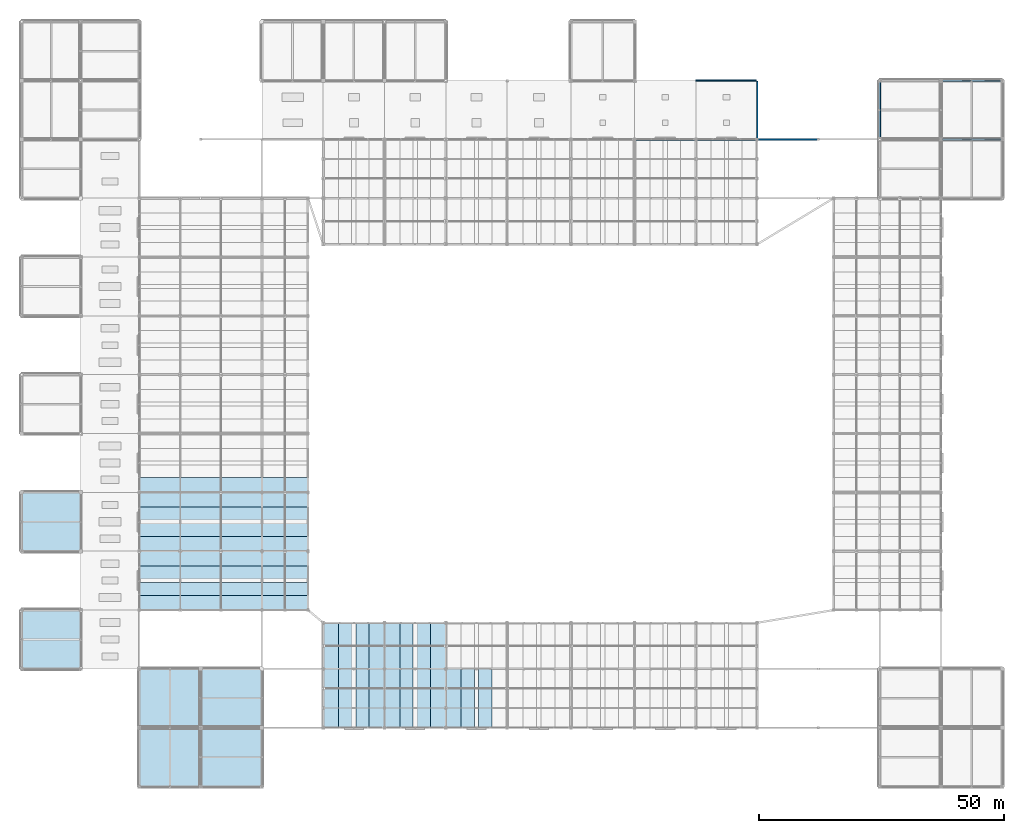
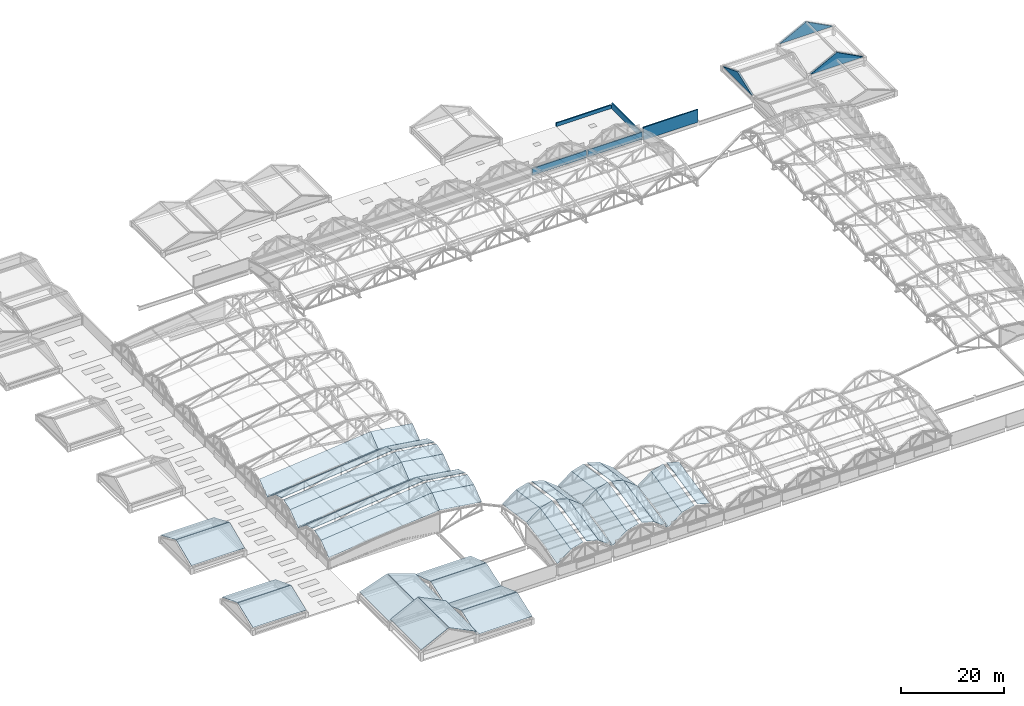
# One storey, part 110 of 117: 49 roofs, 8 walls.
"""IFC4 building model written with IfcOpenShell, lengths in metres."""

from ifc_helpers import new_model, si_unit, direction, frame, frame_2d, origin, place, context, subcontext, project, spatial, polyline, rectangle, outline, extrude, material, layer, layer_set, type_object, element, save


model = new_model("IFC4")

# Units and contexts
model_context = context("Model", 3, precision=1e-05, world=origin(), true_north=direction((0.0, 1.0)))
body_context = subcontext(model_context, "Body", "Model", "MODEL_VIEW")
ifc_project = project(units=[si_unit("LENGTHUNIT", "METRE"), si_unit("AREAUNIT", "SQUARE_METRE"), si_unit("VOLUMEUNIT", "CUBIC_METRE"), si_unit("PLANEANGLEUNIT", "RADIAN"), si_unit("MASSUNIT", "GRAM", prefix="KILO")], contexts=[model_context])

# Site, building, storey
site_placement = place(None, origin())
site = spatial("IfcSite", under=ifc_project, at=site_placement, CompositionType="ELEMENT")
building_placement = place(site_placement, origin())
building = spatial("IfcBuilding", under=site, at=building_placement, Name="Kazenohara Klinker Stadium", CompositionType="ELEMENT")
storey_placement = place(building_placement, frame((0.0, 0.0, 31.199951171875)))
storey = spatial("IfcBuildingStorey", under=building, at=storey_placement, Name="RF", CompositionType="ELEMENT", Elevation=31.199951171875)

# Walls
ifc_material_1 = material(Name="Clinker brick masonry", Category="masonry")
ifc_layer_1 = layer(ifc_material_1, 0.280029296875)
ifc_layer_set_1 = layer_set([ifc_layer_1], Name="Clinker brick masonry")
wall_type_1 = type_object("IfcWallType", Name="WAL-EXT-CB280", PredefinedType="SOLIDWALL", material=ifc_layer_set_1)
for number, where, z_axis, x_axis, name in (
    (1, (125.154052734375, 144.0, 0.0), (0.0, 0.0, 1.0), (1.0, 0.0, 0.0), "Perforated clinker-brick canopy screen spandrel EW06 N-06"),
    (2, (137.654052734375, 144.0, 0.0), (0.0, 0.0, 1.0), (1.0, 0.0, 0.0), "Perforated clinker-brick canopy screen spandrel EW06 N-07"),
):
    element("IfcWall", number, at=place(storey_placement, frame(where, z_axis=z_axis, x_axis=x_axis)), inside=storey, type_object=wall_type_1, Name=name, PredefinedType="SOLIDWALL", context=body_context, shape_type="SweptSolid", body=[
        extrude(rectangle(XDim=12.19189453125, YDim=0.280029296875, at=frame_2d((6.095947265625, 0.0))), origin(), (0.0, 0.0, 1.0), 1.650146484375),
    ])
wall_1_placement = place(storey_placement, frame((150.154052734375, 144.0, -0.369873046875), z_axis=(0.0, 0.0, 1.0), x_axis=(1.0, 0.0, 0.0)))
element("IfcWall", 3, at=wall_1_placement, inside=storey, type_object=wall_type_1, Name="Clinker-brick canopy ring link spandrel EW06 N-12", PredefinedType="SOLIDWALL", context=body_context, shape_type="SweptSolid", body=[
    extrude(rectangle(XDim=12.342041015625, YDim=0.280029296875, at=frame_2d((6.1708984375, 0.0))), origin(), (0.0, 0.0, 1.0), 3.02001953125),
])
ifc_layer_2 = layer(ifc_material_1, 0.260009765625)
ifc_layer_set_2 = layer_set([ifc_layer_2], Name="Clinker brick masonry")
wall_type_2 = type_object("IfcWallType", Name="WAL-PAR-260", PredefinedType="PARAPET", material=ifc_layer_set_2)
wall_2_placement = place(storey_placement, frame((150.0, 144.14794921875, 0.0), z_axis=(0.0, 0.0, 1.0), x_axis=(0.0, 1.0, 0.0)))
element("IfcWall", 4, at=wall_2_placement, inside=storey, type_object=wall_type_2, Name="Clinker brick roof coping parapet PW02 Y12-12", PredefinedType="PARAPET", context=body_context, shape_type="SweptSolid", body=[
    extrude(rectangle(XDim=11.7041015625, YDim=0.260009765625, at=frame_2d((5.85205078125, 0.0))), origin(), (0.0, 0.0, 1.0), 1.35009765625),
])
ifc_layer_3 = layer(ifc_material_1, 0.2900390625)
ifc_layer_set_3 = layer_set([ifc_layer_3], Name="Clinker brick masonry")
wall_type_3 = type_object("IfcWallType", Name="WAL-PAR-290", PredefinedType="PARAPET", material=ifc_layer_set_3)
wall_3_placement = place(storey_placement, frame((137.50390625, 156.0, 0.0), z_axis=(0.0, 0.0, 1.0), x_axis=(1.0, 0.0, 0.0)))
element("IfcWall", 5, at=wall_3_placement, inside=storey, type_object=wall_type_3, Name="Clinker brick roof coping parapet PW01 X11-13", PredefinedType="PARAPET", context=body_context, shape_type="SweptSolid", body=[
    extrude(rectangle(XDim=12.34814453125, YDim=0.2900390625, at=frame_2d((6.174072265625, 0.0))), origin(), (0.0, 0.0, 1.0), 0.85009765625),
])
ifc_layer_4 = layer(ifc_material_1, 0.360107421875)
ifc_layer_set_4 = layer_set([ifc_layer_4], Name="Clinker brick masonry")
wall_type_4 = type_object("IfcWallType", Name="WAL-PAR-CRN360", PredefinedType="PARAPET", material=ifc_layer_set_4)
for number, where, z_axis, x_axis, name in (
    (6, (187.85009765625, 144.0, 2.14013671875), (0.0, 0.0, 1.0), (1.0, 0.0, 0.0), "Amsterdam School stepped klinker gable PW03 GT3-NE-S"),
    (7, (187.85009765625, 156.0, 2.14013671875), (0.0, 0.0, 1.0), (1.0, 0.0, 0.0), "Amsterdam School stepped klinker gable PW03 GT3-NE-N"),
):
    element("IfcWall", number, at=place(storey_placement, frame(where, z_axis=z_axis, x_axis=x_axis)), inside=storey, type_object=wall_type_4, Name=name, PredefinedType="PARAPET", context=body_context, shape_type="SweptSolid", body=[
        extrude(outline(polyline([(0.0, 0.0), (11.7998046875, 0.0), (11.699951171875, 0.079833984375), (5.85009765625, 3.159912109375), (0.0, 0.079833984375), (0.0, 0.0)])), frame((0.0, 0.18017578125, 0.0), z_axis=(0.0, -1.0, 0.0), x_axis=(1.0, 0.0, 0.0)), (0.0, 0.0, 1.0), 0.360107421875),
    ])
wall_4_placement = place(storey_placement, frame((175.0, 144.35009765625, 1.340087890625), z_axis=(0.0, 0.0, 1.0), x_axis=(0.0, 1.0, 0.0)))
element("IfcWall", 8, at=wall_4_placement, inside=storey, type_object=wall_type_4, Name="Amsterdam School stepped klinker gable PW03 GT3-NW-W", PredefinedType="PARAPET", context=body_context, shape_type="SweptSolid", body=[
    extrude(outline(polyline([(0.0, 0.0), (11.2998046875, 0.0), (11.199951171875, 0.080078125), (5.60009765625, 2.260009765625), (0.0, 0.080078125), (0.0, 0.0)])), frame((0.0, 0.18017578125, 0.0), z_axis=(0.0, -1.0, 0.0), x_axis=(1.0, 0.0, 0.0)), (0.0, 0.0, 1.0), 0.360107421875),
])

# Roofs
ifc_material_2 = material(Name="Patina copper standing seam roofing", Category="metal")
ifc_layer_5 = layer(ifc_material_2, 0.080078125)
ifc_layer_set_5 = layer_set([ifc_layer_5], Name="Patina copper standing seam roofing")
roof_type = type_object("IfcRoofType", Name="ROOF-BARREL-01", PredefinedType="BARREL_ROOF", material=ifc_layer_set_5)
roof_1_placement = place(storey_placement, frame((49.0, 48.06005859375, 5.14794921875), z_axis=(0.1114348372, -0.620820003285, 0.775992783845), x_axis=(0.989845879347, 0.0, -0.142144768244)))
element("IfcRoof", 9, at=roof_1_placement, inside=storey, type_object=roof_type, Name="Scalloped copper barrel-arch roof shell W-01 inner strip 1", PredefinedType="BARREL_ROOF", context=body_context, shape_type="SweptSolid", body=[
    extrude(outline(polyline([(0.0, 0.0), (9.496329216369972, -1.1102230246251565e-16), (9.16199750317222, 3.750149417731541), (-0.3343317131977522, 3.7501494177315413), (0.0, 0.0)])), origin(), (0.0, 0.0, -1.0), 0.080078125),
])
roof_2_placement = place(storey_placement, frame((24.0, 48.06005859375, 2.59814453125), z_axis=(-0.079395226247, -0.62271907893, 0.778406928788), x_axis=(0.994838726822, -2.354625e-06, 0.101468751889)))
element("IfcRoof", 10, at=roof_2_placement, inside=storey, type_object=roof_type, Name="Scalloped copper barrel-arch roof shell W-01 outer strip 1", PredefinedType="BARREL_ROOF", context=body_context, shape_type="SweptSolid", body=[
    extrude(outline(polyline([(0.0, 0.0), (25.129693669747912, 0.0), (25.368346404441525, 3.7574516913669496), (0.2386279620491107, 3.7573004449698315), (0.0, 0.0)])), origin(), (0.0, 0.0, -1.0), 0.080078125),
])
roof_3_placement = place(storey_placement, frame((49.0, 51.0, 7.5), z_axis=(0.136061259308, -0.289700944037, 0.947396800047), x_axis=(0.989844222428, 3.528061e-06, -0.142156305924)))
element("IfcRoof", 11, at=roof_3_placement, inside=storey, type_object=roof_type, Name="Scalloped copper barrel-arch roof shell W-01 inner strip 2", PredefinedType="BARREL_ROOF", context=body_context, shape_type="SweptSolid", body=[
    extrude(outline(polyline([(0.0, 0.0), (9.496329215665769, -1.1102230246251565e-16), (9.382641165120983, 2.733138275735066), (-0.11372275667416151, 2.7332082853263064), (0.0, 0.0)])), origin(), (0.0, 0.0, -1.0), 0.080078125),
])
roof_4_placement = place(storey_placement, frame((24.0, 51.0, 4.949951171875), z_axis=(-0.097081417551, -0.291079679099, 0.951760378867), x_axis=(0.994838046303, 0.0, 0.101475423766)))
element("IfcRoof", 12, at=roof_4_placement, inside=storey, type_object=roof_type, Name="Scalloped copper barrel-arch roof shell W-01 outer strip 2", PredefinedType="BARREL_ROOF", context=body_context, shape_type="SweptSolid", body=[
    extrude(outline(polyline([(0.0, 0.0), (25.129718443027205, 0.0), (25.210903736894636, 2.734368182559966), (0.08118529386742987, 2.7343681825599666), (0.0, 0.0)])), origin(), (0.0, 0.0, -1.0), 0.080078125),
])
roof_5_placement = place(storey_placement, frame((49.0, 54.384033203125, 8.300048828125), z_axis=(0.136061259308, 0.289700944037, 0.947396800047), x_axis=(0.989843918815, 3.528048e-06, -0.142158419982)))
element("IfcRoof", 13, at=roof_5_placement, inside=storey, type_object=roof_type, Name="Scalloped copper barrel-arch roof shell W-01 inner strip 3", PredefinedType="BARREL_ROOF", context=body_context, shape_type="SweptSolid", body=[
    extrude(outline(polyline([(0.0, 0.0), (9.49636392205321, 0.0), (9.61007212197998, 2.733137437523795), (0.11374290657227543, 2.733207446859171), (0.0, 0.0)])), origin(), (0.0, 0.0, -1.0), 0.080078125),
])
roof_6_placement = place(storey_placement, frame((24.0, 54.384033203125, 5.75), z_axis=(-0.097081417551, 0.291079679099, 0.951760378867), x_axis=(0.994838046303, 0.0, 0.101475423766)))
element("IfcRoof", 14, at=roof_6_placement, inside=storey, type_object=roof_type, Name="Scalloped copper barrel-arch roof shell W-01 outer strip 3", PredefinedType="BARREL_ROOF", context=body_context, shape_type="SweptSolid", body=[
    extrude(outline(polyline([(0.0, 0.0), (25.129718443027205, 0.0), (25.048533149159773, 2.7343681825599666), (-0.08118529386742987, 2.7343681825599666), (0.0, 0.0)])), origin(), (0.0, 0.0, -1.0), 0.080078125),
])
roof_7_placement = place(storey_placement, frame((49.0, 57.0, 7.5), z_axis=(0.1114348372, 0.620820003285, 0.775992783845), x_axis=(0.989845879347, 0.0, -0.142144768244)))
element("IfcRoof", 15, at=roof_7_placement, inside=storey, type_object=roof_type, Name="Scalloped copper barrel-arch roof shell W-01 inner strip 4", PredefinedType="BARREL_ROOF", context=body_context, shape_type="SweptSolid", body=[
    extrude(outline(polyline([(0.0, 0.0), (9.496329216369972, 1.1102230246251565e-16), (9.830660929567724, 3.7501494177315413), (0.3343317131977522, 3.7501494177315413), (0.0, 0.0)])), origin(), (0.0, 0.0, -1.0), 0.080078125),
])
roof_8_placement = place(storey_placement, frame((24.0, 57.0, 4.949951171875), z_axis=(-0.079395226247, 0.62271907893, 0.778406928788), x_axis=(0.994838346519, -2.354623e-06, 0.101472480458)))
element("IfcRoof", 16, at=roof_8_placement, inside=storey, type_object=roof_type, Name="Scalloped copper barrel-arch roof shell W-01 outer strip 4", PredefinedType="BARREL_ROOF", context=body_context, shape_type="SweptSolid", body=[
    extrude(outline(polyline([(0.0, 0.0), (25.12971844284756, 2.220446049250313e-16), (24.891043093458787, 3.7574502549371473), (-0.23865057583397561, 3.757299008689129), (0.0, 0.0)])), origin(), (0.0, 0.0, -1.0), 0.080078125),
])
roof_9_placement = place(storey_placement, frame((49.0, 60.06005859375, 5.14794921875), z_axis=(0.1114348372, -0.620820003285, 0.775992783845), x_axis=(0.989845879347, 0.0, -0.142144768244)))
element("IfcRoof", 17, at=roof_9_placement, inside=storey, type_object=roof_type, Name="Scalloped copper barrel-arch roof shell W-02 inner strip 1", PredefinedType="BARREL_ROOF", context=body_context, shape_type="SweptSolid", body=[
    extrude(outline(polyline([(0.0, 0.0), (9.496329216369972, -1.1102230246251565e-16), (9.16199750317222, 3.750149417731541), (-0.3343317131977522, 3.7501494177315413), (0.0, 0.0)])), origin(), (0.0, 0.0, -1.0), 0.080078125),
])
roof_10_placement = place(storey_placement, frame((24.0, 60.06005859375, 2.59814453125), z_axis=(-0.079395226247, -0.62271907893, 0.778406928788), x_axis=(0.994838726822, -2.354625e-06, 0.101468751889)))
element("IfcRoof", 18, at=roof_10_placement, inside=storey, type_object=roof_type, Name="Scalloped copper barrel-arch roof shell W-02 outer strip 1", PredefinedType="BARREL_ROOF", context=body_context, shape_type="SweptSolid", body=[
    extrude(outline(polyline([(0.0, 0.0), (25.129693669747912, 0.0), (25.368346404441525, 3.7574516913669496), (0.2386279620491107, 3.7573004449698315), (0.0, 0.0)])), origin(), (0.0, 0.0, -1.0), 0.080078125),
])
roof_11_placement = place(storey_placement, frame((49.0, 63.0, 7.5), z_axis=(0.136061259308, -0.289700944037, 0.947396800047), x_axis=(0.989844222428, 3.528061e-06, -0.142156305924)))
element("IfcRoof", 19, at=roof_11_placement, inside=storey, type_object=roof_type, Name="Scalloped copper barrel-arch roof shell W-02 inner strip 2", PredefinedType="BARREL_ROOF", context=body_context, shape_type="SweptSolid", body=[
    extrude(outline(polyline([(0.0, 0.0), (9.496329215665769, -1.1102230246251565e-16), (9.382641165120983, 2.733138275735066), (-0.11372275667416151, 2.7332082853263064), (0.0, 0.0)])), origin(), (0.0, 0.0, -1.0), 0.080078125),
])
roof_12_placement = place(storey_placement, frame((24.0, 63.0, 4.949951171875), z_axis=(-0.097081417551, -0.291079679099, 0.951760378867), x_axis=(0.994838046303, 0.0, 0.101475423766)))
element("IfcRoof", 20, at=roof_12_placement, inside=storey, type_object=roof_type, Name="Scalloped copper barrel-arch roof shell W-02 outer strip 2", PredefinedType="BARREL_ROOF", context=body_context, shape_type="SweptSolid", body=[
    extrude(outline(polyline([(0.0, 0.0), (25.129718443027205, 0.0), (25.210903736894636, 2.734368182559966), (0.08118529386742987, 2.7343681825599666), (0.0, 0.0)])), origin(), (0.0, 0.0, -1.0), 0.080078125),
])
roof_13_placement = place(storey_placement, frame((49.0, 66.384033203125, 8.300048828125), z_axis=(0.136061259308, 0.289700944037, 0.947396800047), x_axis=(0.989843918815, 3.528048e-06, -0.142158419982)))
element("IfcRoof", 21, at=roof_13_placement, inside=storey, type_object=roof_type, Name="Scalloped copper barrel-arch roof shell W-02 inner strip 3", PredefinedType="BARREL_ROOF", context=body_context, shape_type="SweptSolid", body=[
    extrude(outline(polyline([(0.0, 0.0), (9.49636392205321, 0.0), (9.61007212197998, 2.733137437523795), (0.11374290657227543, 2.733207446859171), (0.0, 0.0)])), origin(), (0.0, 0.0, -1.0), 0.080078125),
])
roof_14_placement = place(storey_placement, frame((24.0, 66.384033203125, 5.75), z_axis=(-0.097081417551, 0.291079679099, 0.951760378867), x_axis=(0.994838046303, 0.0, 0.101475423766)))
element("IfcRoof", 22, at=roof_14_placement, inside=storey, type_object=roof_type, Name="Scalloped copper barrel-arch roof shell W-02 outer strip 3", PredefinedType="BARREL_ROOF", context=body_context, shape_type="SweptSolid", body=[
    extrude(outline(polyline([(0.0, 0.0), (25.129718443027205, 0.0), (25.048533149159773, 2.7343681825599666), (-0.08118529386742987, 2.7343681825599666), (0.0, 0.0)])), origin(), (0.0, 0.0, -1.0), 0.080078125),
])
roof_15_placement = place(storey_placement, frame((49.0, 69.0, 7.5), z_axis=(0.1114348372, 0.620820003285, 0.775992783845), x_axis=(0.989845879347, 0.0, -0.142144768244)))
element("IfcRoof", 23, at=roof_15_placement, inside=storey, type_object=roof_type, Name="Scalloped copper barrel-arch roof shell W-02 inner strip 4", PredefinedType="BARREL_ROOF", context=body_context, shape_type="SweptSolid", body=[
    extrude(outline(polyline([(0.0, 0.0), (9.496329216369972, 1.1102230246251565e-16), (9.830660929567724, 3.7501494177315413), (0.3343317131977522, 3.7501494177315413), (0.0, 0.0)])), origin(), (0.0, 0.0, -1.0), 0.080078125),
])
roof_16_placement = place(storey_placement, frame((24.0, 69.0, 4.949951171875), z_axis=(-0.079395226247, 0.62271907893, 0.778406928788), x_axis=(0.994838346519, -2.354623e-06, 0.101472480458)))
element("IfcRoof", 24, at=roof_16_placement, inside=storey, type_object=roof_type, Name="Scalloped copper barrel-arch roof shell W-02 outer strip 4", PredefinedType="BARREL_ROOF", context=body_context, shape_type="SweptSolid", body=[
    extrude(outline(polyline([(0.0, 0.0), (25.12971844284756, 2.220446049250313e-16), (24.891043093458787, 3.7574502549371473), (-0.23865057583397561, 3.757299008689129), (0.0, 0.0)])), origin(), (0.0, 0.0, -1.0), 0.080078125),
])
roof_17_placement = place(storey_placement, frame((49.0, 72.06005859375, 5.14794921875), z_axis=(0.1114348372, -0.620820003285, 0.775992783845), x_axis=(0.989845879347, 0.0, -0.142144768244)))
element("IfcRoof", 25, at=roof_17_placement, inside=storey, type_object=roof_type, Name="Scalloped copper barrel-arch roof shell W-03 inner strip 1", PredefinedType="BARREL_ROOF", context=body_context, shape_type="SweptSolid", body=[
    extrude(outline(polyline([(0.0, 0.0), (9.496329216369972, -1.1102230246251565e-16), (9.16199750317222, 3.750149417731541), (-0.3343317131977522, 3.7501494177315413), (0.0, 0.0)])), origin(), (0.0, 0.0, -1.0), 0.080078125),
])
roof_18_placement = place(storey_placement, frame((24.0, 72.06005859375, 2.59814453125), z_axis=(-0.079395226247, -0.62271907893, 0.778406928788), x_axis=(0.994838726822, -2.354625e-06, 0.101468751889)))
element("IfcRoof", 26, at=roof_18_placement, inside=storey, type_object=roof_type, Name="Scalloped copper barrel-arch roof shell W-03 outer strip 1", PredefinedType="BARREL_ROOF", context=body_context, shape_type="SweptSolid", body=[
    extrude(outline(polyline([(0.0, 0.0), (25.129693669747912, 0.0), (25.368346404441525, 3.7574516913669496), (0.2386279620491107, 3.7573004449698315), (0.0, 0.0)])), origin(), (0.0, 0.0, -1.0), 0.080078125),
])
roof_19_placement = place(storey_placement, frame((61.5625, 36.0, 5.14794921875), z_axis=(-0.605193292064, 0.11315840291, 0.787995085702), x_axis=(0.0, 0.989845879347, -0.142144768244)))
element("IfcRoof", 27, at=roof_19_placement, inside=storey, type_object=roof_type, Name="Scalloped copper barrel-arch roof shell S-01 inner strip 1", PredefinedType="BARREL_ROOF", context=body_context, shape_type="SweptSolid", body=[
    extrude(outline(polyline([(0.0, 0.0), (9.496329216369972, 2.220446049250313e-16), (9.16199750317222, -3.846982120198766), (-0.3343317131977522, -3.846982120198766), (0.0, 0.0)])), origin(), (0.0, 0.0, -1.0), 0.080078125),
])
roof_20_placement = place(storey_placement, frame((61.5625, 24.0, 2.59814453125), z_axis=(-0.600615995654, -0.166186330342, 0.782075782372), x_axis=(-4.673964e-06, 0.978160794535, 0.207849609123)))
element("IfcRoof", 28, at=roof_20_placement, inside=storey, type_object=roof_type, Name="Scalloped copper barrel-arch roof shell S-01 outer strip 1", PredefinedType="BARREL_ROOF", context=body_context, shape_type="SweptSolid", body=[
    extrude(outline(polyline([(0.0, 0.0), (12.267905442058264, 0.0), (12.756763963564547, -3.8304133542498056), (0.4888077769728044, -3.8302699216823575), (0.0, 0.0)])), origin(), (0.0, 0.0, -1.0), 0.080078125),
])
roof_21_placement = place(storey_placement, frame((64.625, 36.0, 7.5), z_axis=(-0.279019930215, 0.136511627499, 0.950532721215), x_axis=(3.409232e-06, 0.989844211441, -0.142156382431)))
element("IfcRoof", 29, at=roof_21_placement, inside=storey, type_object=roof_type, Name="Scalloped copper barrel-arch roof shell S-01 inner strip 2", PredefinedType="BARREL_ROOF", context=body_context, shape_type="SweptSolid", body=[
    extrude(outline(polyline([(0.0, 0.0), (9.496329215661099, 1.1102230246251565e-16), (9.382641165125596, -2.8377666901893592), (-0.11372275668355664, -2.837834118589799), (0.0, 0.0)])), origin(), (0.0, 0.0, -1.0), 0.080078125),
])
roof_22_placement = place(storey_placement, frame((64.625, 24.0, 4.949951171875), z_axis=(-0.276017021215, -0.199787674479, 0.94015928923), x_axis=(0.0, 0.978158041674, 0.207862563991)))
element("IfcRoof", 30, at=roof_22_placement, inside=storey, type_object=roof_type, Name="Scalloped copper barrel-arch roof shell S-01 outer strip 2", PredefinedType="BARREL_ROOF", context=body_context, shape_type="SweptSolid", body=[
    extrude(outline(polyline([(0.0, 0.0), (12.267956187801687, -1.1102230246251565e-16), (12.434256388533697, -2.8352388976451213), (0.16630020073201093, -2.8352388976451213), (0.0, 0.0)])), origin(), (0.0, 0.0, -1.0), 0.080078125),
])
roof_23_placement = place(storey_placement, frame((68.14990234375, 36.0, 8.300048828125), z_axis=(0.279019930215, 0.136511627499, 0.950532721215), x_axis=(3.40922e-06, 0.989843929803, -0.142158343476)))
element("IfcRoof", 31, at=roof_23_placement, inside=storey, type_object=roof_type, Name="Scalloped copper barrel-arch roof shell S-01 inner strip 3", PredefinedType="BARREL_ROOF", context=body_context, shape_type="SweptSolid", body=[
    extrude(outline(polyline([(0.0, 0.0), (9.496363922048538, -5.551115123125783e-17), (9.610072121984706, -2.8377658828821857), (0.11374290656299219, -2.8378333110361944), (0.0, 0.0)])), origin(), (0.0, 0.0, -1.0), 0.080078125),
])
roof_24_placement = place(storey_placement, frame((68.14990234375, 24.0, 5.75), z_axis=(0.276017021215, -0.199787674479, 0.94015928923), x_axis=(0.0, 0.978158041674, 0.207862563991)))
element("IfcRoof", 32, at=roof_24_placement, inside=storey, type_object=roof_type, Name="Scalloped copper barrel-arch roof shell S-01 outer strip 3", PredefinedType="BARREL_ROOF", context=body_context, shape_type="SweptSolid", body=[
    extrude(outline(polyline([(0.0, 0.0), (12.267956187801687, 1.1102230246251565e-16), (12.101655987069677, -2.8352388976451213), (-0.16630020073201093, -2.8352388976451213), (0.0, 0.0)])), origin(), (0.0, 0.0, -1.0), 0.080078125),
])
roof_25_placement = place(storey_placement, frame((70.875, 36.0, 7.5), z_axis=(0.605193292064, 0.11315840291, 0.787995085702), x_axis=(0.0, 0.989845879347, -0.142144768244)))
element("IfcRoof", 33, at=roof_25_placement, inside=storey, type_object=roof_type, Name="Scalloped copper barrel-arch roof shell S-01 inner strip 4", PredefinedType="BARREL_ROOF", context=body_context, shape_type="SweptSolid", body=[
    extrude(outline(polyline([(0.0, 0.0), (9.496329216369972, -2.220446049250313e-16), (9.830660929567724, -3.846982120198766), (0.3343317131977522, -3.846982120198766), (0.0, 0.0)])), origin(), (0.0, 0.0, -1.0), 0.080078125),
])
roof_26_placement = place(storey_placement, frame((70.875, 24.0, 4.949951171875), z_axis=(0.600615995654, -0.166186330342, 0.782075782372), x_axis=(-4.673945e-06, 0.978159334952, 0.207856477947)))
element("IfcRoof", 34, at=roof_26_placement, inside=storey, type_object=roof_type, Name="Scalloped copper barrel-arch roof shell S-01 outer strip 4", PredefinedType="BARREL_ROOF", context=body_context, shape_type="SweptSolid", body=[
    extrude(outline(polyline([(0.0, 0.0), (12.267956187430222, 0.0), (11.779052882130824, -3.8304076384285626), (-0.48885255908896436, -3.8302642064544115), (0.0, 0.0)])), origin(), (0.0, 0.0, -1.0), 0.080078125),
])
roof_27_placement = place(storey_placement, frame((74.0625, 36.0, 5.14794921875), z_axis=(-0.605193292064, 0.11315840291, 0.787995085702), x_axis=(0.0, 0.989845879347, -0.142144768244)))
element("IfcRoof", 35, at=roof_27_placement, inside=storey, type_object=roof_type, Name="Scalloped copper barrel-arch roof shell S-02 inner strip 1", PredefinedType="BARREL_ROOF", context=body_context, shape_type="SweptSolid", body=[
    extrude(outline(polyline([(0.0, 0.0), (9.496329216369972, 2.220446049250313e-16), (9.16199750317222, -3.846982120198766), (-0.3343317131977522, -3.846982120198766), (0.0, 0.0)])), origin(), (0.0, 0.0, -1.0), 0.080078125),
])
roof_28_placement = place(storey_placement, frame((74.0625, 24.0, 2.59814453125), z_axis=(-0.600615995654, -0.166186330342, 0.782075782372), x_axis=(-4.673964e-06, 0.978160794535, 0.207849609123)))
element("IfcRoof", 36, at=roof_28_placement, inside=storey, type_object=roof_type, Name="Scalloped copper barrel-arch roof shell S-02 outer strip 1", PredefinedType="BARREL_ROOF", context=body_context, shape_type="SweptSolid", body=[
    extrude(outline(polyline([(0.0, 0.0), (12.267905442058264, 0.0), (12.756763963564547, -3.8304133542498056), (0.4888077769728044, -3.8302699216823575), (0.0, 0.0)])), origin(), (0.0, 0.0, -1.0), 0.080078125),
])
roof_29_placement = place(storey_placement, frame((77.125, 36.0, 7.5), z_axis=(-0.279019930215, 0.136511627499, 0.950532721215), x_axis=(3.409232e-06, 0.989844211441, -0.142156382431)))
element("IfcRoof", 37, at=roof_29_placement, inside=storey, type_object=roof_type, Name="Scalloped copper barrel-arch roof shell S-02 inner strip 2", PredefinedType="BARREL_ROOF", context=body_context, shape_type="SweptSolid", body=[
    extrude(outline(polyline([(0.0, 0.0), (9.496329215661099, 1.1102230246251565e-16), (9.382641165125596, -2.8377666901893592), (-0.11372275668355664, -2.837834118589799), (0.0, 0.0)])), origin(), (0.0, 0.0, -1.0), 0.080078125),
])
roof_30_placement = place(storey_placement, frame((77.125, 24.0, 4.949951171875), z_axis=(-0.276017021215, -0.199787674479, 0.94015928923), x_axis=(0.0, 0.978158041674, 0.207862563991)))
element("IfcRoof", 38, at=roof_30_placement, inside=storey, type_object=roof_type, Name="Scalloped copper barrel-arch roof shell S-02 outer strip 2", PredefinedType="BARREL_ROOF", context=body_context, shape_type="SweptSolid", body=[
    extrude(outline(polyline([(0.0, 0.0), (12.267956187801687, -1.1102230246251565e-16), (12.434256388533697, -2.8352388976451213), (0.16630020073201093, -2.8352388976451213), (0.0, 0.0)])), origin(), (0.0, 0.0, -1.0), 0.080078125),
])
roof_31_placement = place(storey_placement, frame((80.64990234375, 36.0, 8.300048828125), z_axis=(0.279019930215, 0.136511627499, 0.950532721215), x_axis=(3.40922e-06, 0.989843929803, -0.142158343476)))
element("IfcRoof", 39, at=roof_31_placement, inside=storey, type_object=roof_type, Name="Scalloped copper barrel-arch roof shell S-02 inner strip 3", PredefinedType="BARREL_ROOF", context=body_context, shape_type="SweptSolid", body=[
    extrude(outline(polyline([(0.0, 0.0), (9.496363922048538, -5.551115123125783e-17), (9.610072121984706, -2.8377658828821857), (0.11374290656299219, -2.8378333110361944), (0.0, 0.0)])), origin(), (0.0, 0.0, -1.0), 0.080078125),
])
roof_32_placement = place(storey_placement, frame((80.64990234375, 24.0, 5.75), z_axis=(0.276017021215, -0.199787674479, 0.94015928923), x_axis=(0.0, 0.978158041674, 0.207862563991)))
element("IfcRoof", 40, at=roof_32_placement, inside=storey, type_object=roof_type, Name="Scalloped copper barrel-arch roof shell S-02 outer strip 3", PredefinedType="BARREL_ROOF", context=body_context, shape_type="SweptSolid", body=[
    extrude(outline(polyline([(0.0, 0.0), (12.267956187801687, 1.1102230246251565e-16), (12.101655987069677, -2.8352388976451213), (-0.16630020073201093, -2.8352388976451213), (0.0, 0.0)])), origin(), (0.0, 0.0, -1.0), 0.080078125),
])
roof_33_placement = place(storey_placement, frame((83.375, 36.0, 7.5), z_axis=(0.605193292064, 0.11315840291, 0.787995085702), x_axis=(0.0, 0.989845879347, -0.142144768244)))
element("IfcRoof", 41, at=roof_33_placement, inside=storey, type_object=roof_type, Name="Scalloped copper barrel-arch roof shell S-02 inner strip 4", PredefinedType="BARREL_ROOF", context=body_context, shape_type="SweptSolid", body=[
    extrude(outline(polyline([(0.0, 0.0), (9.496329216369972, -2.220446049250313e-16), (9.830660929567724, -3.846982120198766), (0.3343317131977522, -3.846982120198766), (0.0, 0.0)])), origin(), (0.0, 0.0, -1.0), 0.080078125),
])
roof_34_placement = place(storey_placement, frame((83.375, 24.0, 4.949951171875), z_axis=(0.600615995654, -0.166186330342, 0.782075782372), x_axis=(-4.673945e-06, 0.978159334952, 0.207856477947)))
element("IfcRoof", 42, at=roof_34_placement, inside=storey, type_object=roof_type, Name="Scalloped copper barrel-arch roof shell S-02 outer strip 4", PredefinedType="BARREL_ROOF", context=body_context, shape_type="SweptSolid", body=[
    extrude(outline(polyline([(0.0, 0.0), (12.267956187430222, 0.0), (11.779052882130824, -3.8304076384285626), (-0.48885255908896436, -3.8302642064544115), (0.0, 0.0)])), origin(), (0.0, 0.0, -1.0), 0.080078125),
])
roof_35_placement = place(storey_placement, frame((86.5625, 24.0, 2.59814453125), z_axis=(-0.600615995654, -0.166186330342, 0.782075782372), x_axis=(-4.673964e-06, 0.978160794535, 0.207849609123)))
element("IfcRoof", 43, at=roof_35_placement, inside=storey, type_object=roof_type, Name="Scalloped copper barrel-arch roof shell S-03 outer strip 1", PredefinedType="BARREL_ROOF", context=body_context, shape_type="SweptSolid", body=[
    extrude(outline(polyline([(0.0, 0.0), (12.267905442058264, 0.0), (12.756763963564547, -3.8304133542498056), (0.4888077769728044, -3.8302699216823575), (0.0, 0.0)])), origin(), (0.0, 0.0, -1.0), 0.080078125),
])
roof_36_placement = place(storey_placement, frame((89.625, 24.0, 4.949951171875), z_axis=(-0.276017021215, -0.199787674479, 0.94015928923), x_axis=(0.0, 0.978158041674, 0.207862563991)))
element("IfcRoof", 44, at=roof_36_placement, inside=storey, type_object=roof_type, Name="Scalloped copper barrel-arch roof shell S-03 outer strip 2", PredefinedType="BARREL_ROOF", context=body_context, shape_type="SweptSolid", body=[
    extrude(outline(polyline([(0.0, 0.0), (12.267956187801687, -1.1102230246251565e-16), (12.434256388533697, -2.8352388976451213), (0.16630020073201093, -2.8352388976451213), (0.0, 0.0)])), origin(), (0.0, 0.0, -1.0), 0.080078125),
])
roof_37_placement = place(storey_placement, frame((93.14990234375, 24.0, 5.75), z_axis=(0.276017021215, -0.199787674479, 0.94015928923), x_axis=(0.0, 0.978158041674, 0.207862563991)))
element("IfcRoof", 45, at=roof_37_placement, inside=storey, type_object=roof_type, Name="Scalloped copper barrel-arch roof shell S-03 outer strip 3", PredefinedType="BARREL_ROOF", context=body_context, shape_type="SweptSolid", body=[
    extrude(outline(polyline([(0.0, 0.0), (12.267956187801687, 1.1102230246251565e-16), (12.101655987069677, -2.8352388976451213), (-0.16630020073201093, -2.8352388976451213), (0.0, 0.0)])), origin(), (0.0, 0.0, -1.0), 0.080078125),
])
for number, where, z_axis, x_axis, name in (
    (46, (24.0, 12.0, 2.550048828125), (-0.441703727171, 0.0, 0.897160976304), (0.897160976304, 0.0, 0.441703727171), "Patina copper pitched turret crown roof GT2-SW-A"),
    (47, (30.304931640625, 12.0, 5.60009765625), (0.441703727171, 0.0, 0.897160976304), (0.897160976304, 0.0, -0.441703727171), "Patina copper pitched turret crown roof GT2-SW-B"),
):
    element("IfcRoof", number, at=place(storey_placement, frame(where, z_axis=z_axis, x_axis=x_axis)), inside=storey, type_object=roof_type, Name=name, PredefinedType="BARREL_ROOF", context=body_context, shape_type="SweptSolid", body=[
        extrude(outline(polyline([(0.0, 0.0), (6.905191513004975, 0.0), (6.905191513004975, 12.0), (0.0, 12.0), (0.0, 0.0)])), origin(), (0.0, 0.0, -1.0), 0.080078125),
    ])
for number, where, z_axis, x_axis, name in (
    (48, (36.5, 12.0, 1.75), (0.0, -0.340108470741, 0.940386212218), (1.0, 0.0, 0.0), "Patina copper pitched turret crown roof GT2-SE-A"),
    (49, (36.5, 18.054931640625, 3.900146484375), (0.0, 0.340108470741, 0.940386212218), (1.0, 0.0, 0.0), "Patina copper pitched turret crown roof GT2-SE-B"),
):
    element("IfcRoof", number, at=place(storey_placement, frame(where, z_axis=z_axis, x_axis=x_axis)), inside=storey, type_object=roof_type, Name=name, PredefinedType="BARREL_ROOF", context=body_context, shape_type="SweptSolid", body=[
        extrude(outline(polyline([(0.0, 0.0), (12.5, 0.0), (12.5, 6.321943348521239), (0.0, 6.321943348521239), (0.0, 0.0)])), origin(), (0.0, 0.0, -1.0), 0.080078125),
    ])
for number, where, z_axis, x_axis, name in (
    (50, (24.0, 24.0, 1.75), (-0.327886632517, 0.0, 0.944717077339), (0.944717077339, 0.0, 0.327886632517), "Patina copper pitched turret crown roof GT2-NW-A"),
    (51, (30.304931640625, 24.0, 3.900146484375), (0.327886632517, 0.0, 0.944717077339), (0.944717077339, 0.0, -0.327886632517), "Patina copper pitched turret crown roof GT2-NW-B"),
):
    element("IfcRoof", number, at=place(storey_placement, frame(where, z_axis=z_axis, x_axis=x_axis)), inside=storey, type_object=roof_type, Name=name, PredefinedType="BARREL_ROOF", context=body_context, shape_type="SweptSolid", body=[
        extrude(outline(polyline([(0.0, 0.0), (6.557591164566409, 0.0), (6.557591164566409, 12.000000000000004), (0.0, 12.000000000000004), (0.0, 0.0)])), origin(), (0.0, 0.0, -1.0), 0.080078125),
    ])
for number, where, z_axis, x_axis, name in (
    (52, (36.5, 24.0, 1.550048828125), (0.0, -0.31885382794, 0.947803901874), (1.0, 0.0, 0.0), "Patina copper pitched turret crown roof GT2-NE-A"),
    (53, (36.5, 30.054931640625, 3.550048828125), (0.0, 0.31885382794, 0.947803901874), (1.0, 0.0, 0.0), "Patina copper pitched turret crown roof GT2-NE-B"),
):
    element("IfcRoof", number, at=place(storey_placement, frame(where, z_axis=z_axis, x_axis=x_axis)), inside=storey, type_object=roof_type, Name=name, PredefinedType="BARREL_ROOF", context=body_context, shape_type="SweptSolid", body=[
        extrude(outline(polyline([(0.0, 0.0), (12.5, 0.0), (12.5, 6.272466643804632), (0.0, 6.272466643804632), (0.0, 0.0)])), origin(), (0.0, 0.0, -1.0), 0.080078125),
    ])
for number, where, z_axis, x_axis, name in (
    (54, (0.0, 36.0, 1.650146484375), (0.0, -0.360787792609, 0.932647933952), (1.0, 0.0, 0.0), "Patina copper pitched turret crown roof WBST-03-A"),
    (55, (0.0, 42.054931640625, 3.949951171875), (0.0, 0.360787792609, 0.932647933952), (1.0, 0.0, 0.0), "Patina copper pitched turret crown roof WBST-03-B"),
):
    element("IfcRoof", number, at=place(storey_placement, frame(where, z_axis=z_axis, x_axis=x_axis)), inside=storey, type_object=roof_type, Name=name, PredefinedType="BARREL_ROOF", context=body_context, shape_type="SweptSolid", body=[
        extrude(outline(polyline([(0.0, 0.0), (12.0, 0.0), (12.0, 6.374397179207516), (0.0, 6.374397179207516), (0.0, 0.0)])), origin(), (0.0, 0.0, -1.0), 0.080078125),
    ])
for number, where, z_axis, x_axis, name in (
    (56, (0.0, 60.0, 1.85009765625), (0.0, -0.394201684587, 0.919023956091), (1.0, 0.0, 0.0), "Patina copper pitched turret crown roof WBST-05-A"),
    (57, (0.0, 66.054931640625, 4.400146484375), (0.0, 0.394201684587, 0.919023956091), (1.0, 0.0, 0.0), "Patina copper pitched turret crown roof WBST-05-B"),
):
    element("IfcRoof", number, at=place(storey_placement, frame(where, z_axis=z_axis, x_axis=x_axis)), inside=storey, type_object=roof_type, Name=name, PredefinedType="BARREL_ROOF", context=body_context, shape_type="SweptSolid", body=[
        extrude(outline(polyline([(0.0, 0.0), (12.0, 0.0), (12.0, 6.468893786688991), (0.0, 6.468893786688991), (0.0, 0.0)])), origin(), (0.0, 0.0, -1.0), 0.080078125),
    ])

save(model, "model.ifc")
